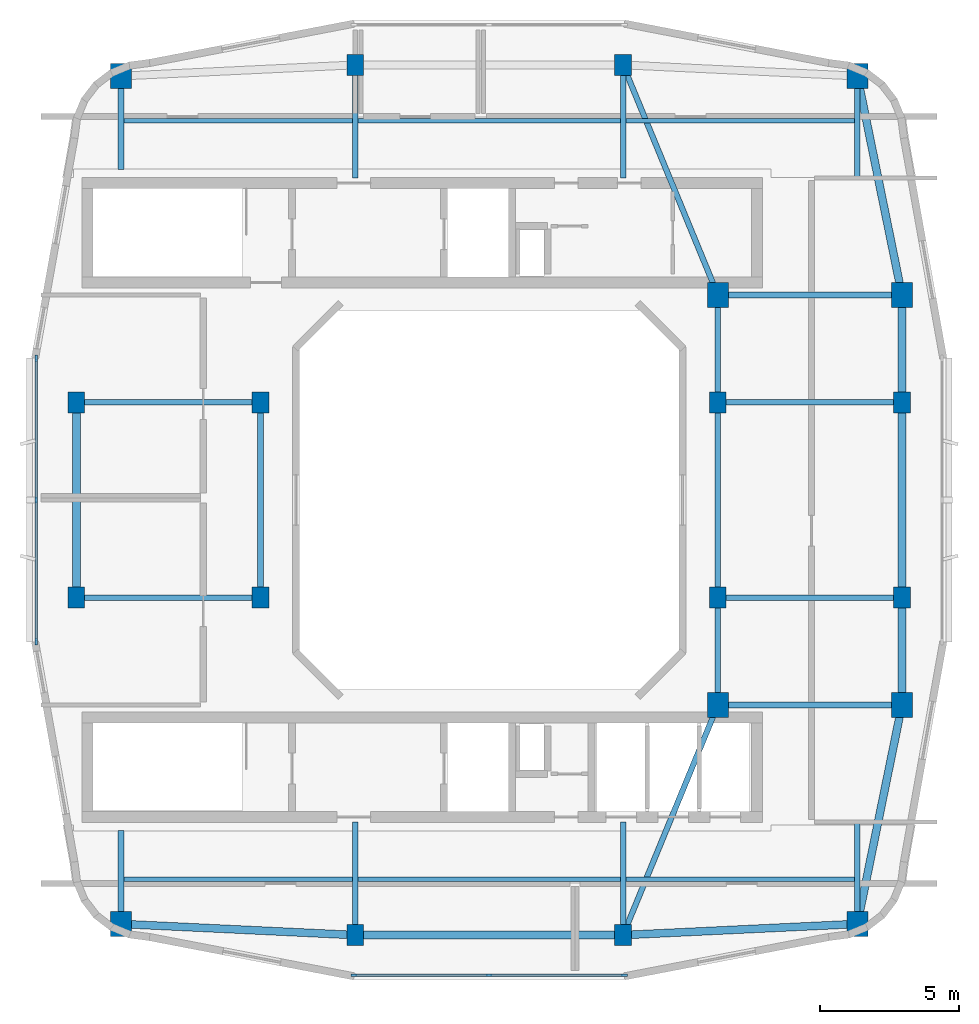
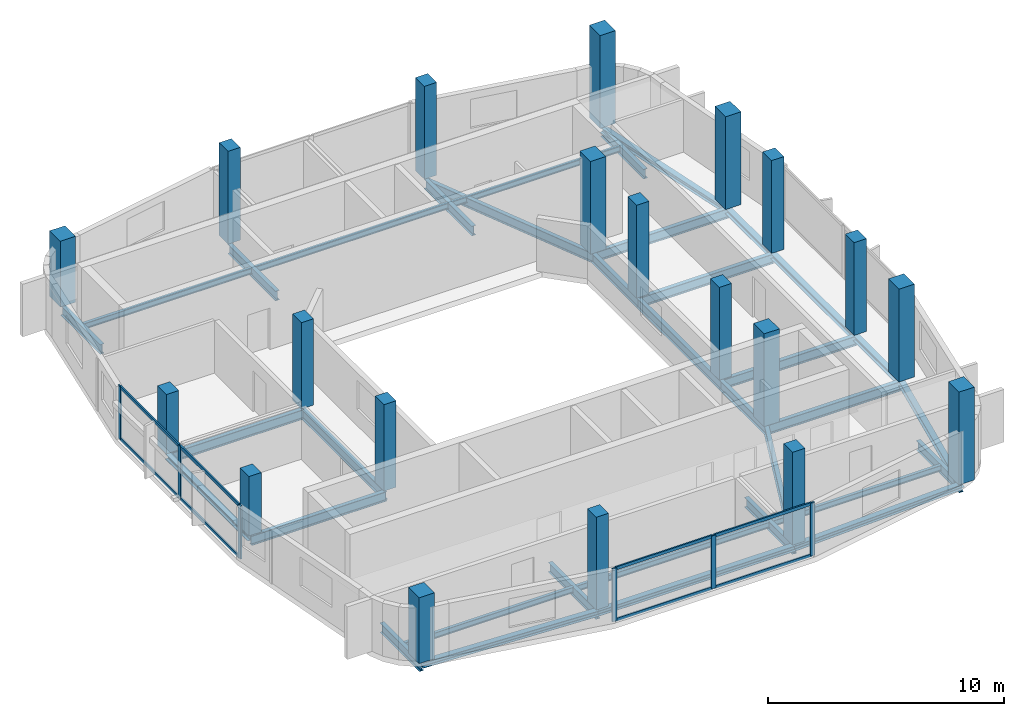
# One storey, part 1 of 6: 35 beams, 20 columns, 14 members, 2 elements without a shape of their own.
"""IFC4 building model written with IfcOpenShell, lengths in metres."""

from ifc_helpers import new_model, si_unit, derived_unit, direction, frame, origin, origin_2d, place, context, subcontext, project, spatial, rectangle, i_section, extrude, material, layer, layer_set, material_profile, profile_set, type_object, element, aggregate, save


model = new_model("IFC4")

# Units and contexts
model_context = context("Model", 3, precision=1e-05, world=origin(), true_north=direction((0.0, 1.0)))
body_context = subcontext(model_context, "Body", "Model", "MODEL_VIEW")
ifc_project = project(units=[si_unit("LENGTHUNIT", "METRE"), si_unit("AREAUNIT", "SQUARE_METRE"), si_unit("VOLUMEUNIT", "CUBIC_METRE"), si_unit("PLANEANGLEUNIT", "RADIAN"), si_unit("MASSUNIT", "GRAM", prefix="KILO"), derived_unit("THERMALTRANSMITTANCEUNIT", [(si_unit("POWERUNIT", "WATT"), 1), (si_unit("LENGTHUNIT", "METRE"), -2), (si_unit("THERMODYNAMICTEMPERATUREUNIT", "KELVIN"), -1)])], contexts=[model_context])

# Site, building, storey
site_placement = place(None, origin())
site = spatial("IfcSite", under=ifc_project, at=site_placement, CompositionType="ELEMENT")
building_placement = place(site_placement, origin())
building = spatial("IfcBuilding", under=site, at=building_placement, Name="Kivonza Crest Hotel", CompositionType="ELEMENT")
storey_placement = place(building_placement, frame((0.0, 0.0, 272.0)))
storey = spatial("IfcBuildingStorey", under=building, at=storey_placement, Name="L74", CompositionType="ELEMENT", Elevation=272.0)

# Columns
ifc_material_1 = material(Name="Concrete C50/60", Category="concrete")
ifc_material_profile_1 = material_profile(ifc_material_1, rectangle(XDim=0.60009765625, YDim=0.75, at=origin_2d()), Name="RC 750x600")
ifc_profile_set_1 = profile_set([ifc_material_profile_1], Name="Concrete C50/60")
column_type_1 = type_object("IfcColumnType", Name="CL-RC-750x600", PredefinedType="COLUMN", material=ifc_profile_set_1)
for number, where, z_axis, x_axis, name in (
    (1, (16.199951171875, 9.39990234375, 0.0), (0.0, 0.0, 1.0), (1.0, 0.0, 0.0), "Tower T1 L74 column S1"),
    (2, (25.800048828125, 9.39990234375, 0.0), (0.0, 0.0, 1.0), (1.0, 0.0, 0.0), "Tower T1 L74 column S2"),
    (3, (16.199951171875, 40.60009765625, 0.0), (0.0, 0.0, 1.0), (1.0, 0.0, 0.0), "Tower T1 L74 column N1"),
    (4, (25.800048828125, 40.60009765625, 0.0), (0.0, 0.0, 1.0), (1.0, 0.0, 0.0), "Tower T1 L74 column N2"),
):
    element("IfcColumn", number, at=place(storey_placement, frame(where, z_axis=z_axis, x_axis=x_axis)), inside=storey, type_object=column_type_1, Name=name, PredefinedType="COLUMN", context=body_context, shape_type="SweptSolid", body=[
        extrude(rectangle(XDim=0.60009765625, YDim=0.75, at=origin_2d()), origin(), (0.0, 0.0, 1.0), 4.800048828125),
    ])
for number, where, z_axis, x_axis, name in (
    (5, (6.199951171875, 21.5, 0.0), (0.0, 0.0, 1.0), (1.0, 0.0, 0.0), "Tower T1 L74 column W1"),
    (6, (6.199951171875, 28.5, 0.0), (0.0, 0.0, 1.0), (1.0, 0.0, 0.0), "Tower T1 L74 column W2"),
):
    element("IfcColumn", number, at=place(storey_placement, frame(where, z_axis=z_axis, x_axis=x_axis)), inside=storey, type_object=column_type_1, Name=name, PredefinedType="COLUMN", context=body_context, shape_type="SweptSolid", body=[
        extrude(rectangle(XDim=0.60009765625, YDim=0.75, at=origin_2d()), origin(), (0.0, 0.0, 1.0), 3.068115234375),
    ])
for number, where, z_axis, x_axis, name in (
    (7, (35.800048828125, 21.5, 0.0), (0.0, 0.0, 1.0), (1.0, 0.0, 0.0), "Tower T1 L74 column E1"),
    (8, (35.800048828125, 28.5, 0.0), (0.0, 0.0, 1.0), (1.0, 0.0, 0.0), "Tower T1 L74 column E2"),
):
    element("IfcColumn", number, at=place(storey_placement, frame(where, z_axis=z_axis, x_axis=x_axis)), inside=storey, type_object=column_type_1, Name=name, PredefinedType="COLUMN", context=body_context, shape_type="SweptSolid", body=[
        extrude(rectangle(XDim=0.60009765625, YDim=0.75, at=origin_2d()), origin(), (0.0, 0.0, 1.0), 4.800048828125),
    ])
for number, where, z_axis, x_axis, name in (
    (9, (12.800048828125, 21.5, 0.0), (0.0, 0.0, 1.0), (1.0, 0.0, 0.0), "Tower T1 L74 column WL1"),
    (10, (12.800048828125, 28.5, 0.0), (0.0, 0.0, 1.0), (1.0, 0.0, 0.0), "Tower T1 L74 column WL2"),
):
    element("IfcColumn", number, at=place(storey_placement, frame(where, z_axis=z_axis, x_axis=x_axis)), inside=storey, type_object=column_type_1, Name=name, PredefinedType="COLUMN", context=body_context, shape_type="SweptSolid", body=[
        extrude(rectangle(XDim=0.60009765625, YDim=0.75, at=origin_2d()), origin(), (0.0, 0.0, 1.0), 4.470947265625),
    ])
for number, where, z_axis, x_axis, name in (
    (11, (29.199951171875, 21.5, 0.0), (0.0, 0.0, 1.0), (1.0, 0.0, 0.0), "Tower T1 L74 column WR1"),
    (12, (29.199951171875, 28.5, 0.0), (0.0, 0.0, 1.0), (1.0, 0.0, 0.0), "Tower T1 L74 column WR2"),
):
    element("IfcColumn", number, at=place(storey_placement, frame(where, z_axis=z_axis, x_axis=x_axis)), inside=storey, type_object=column_type_1, Name=name, PredefinedType="COLUMN", context=body_context, shape_type="SweptSolid", body=[
        extrude(rectangle(XDim=0.60009765625, YDim=0.75, at=origin_2d()), origin(), (0.0, 0.0, 1.0), 4.800048828125),
    ])
ifc_material_profile_2 = material_profile(ifc_material_1, rectangle(XDim=0.75, YDim=0.89990234375, at=origin_2d()), Name="RC 900x750")
ifc_profile_set_2 = profile_set([ifc_material_profile_2], Name="Concrete C50/60")
column_type_2 = type_object("IfcColumnType", Name="CL-RC-900x750", PredefinedType="COLUMN", material=ifc_profile_set_2)
column_1_placement = place(storey_placement, frame((7.800048828125, 9.800048828125, 0.0), z_axis=(0.0, 0.0, 1.0), x_axis=(1.0, 0.0, 0.0)))
element("IfcColumn", 13, at=column_1_placement, inside=storey, type_object=column_type_2, Name="Tower T1 L74 column SW", PredefinedType="COLUMN", context=body_context, shape_type="SweptSolid", body=[
    extrude(rectangle(XDim=0.75, YDim=0.89990234375, at=origin_2d()), origin(), (0.0, 0.0, 1.0), 3.407958984375),
])
for number, where, z_axis, x_axis, name in (
    (14, (34.199951171875, 9.800048828125, 0.0), (0.0, 0.0, 1.0), (1.0, 0.0, 0.0), "Tower T1 L74 column SE"),
    (15, (34.199951171875, 40.199951171875, 0.0), (0.0, 0.0, 1.0), (1.0, 0.0, 0.0), "Tower T1 L74 column NE"),
):
    element("IfcColumn", number, at=place(storey_placement, frame(where, z_axis=z_axis, x_axis=x_axis)), inside=storey, type_object=column_type_2, Name=name, PredefinedType="COLUMN", context=body_context, shape_type="SweptSolid", body=[
        extrude(rectangle(XDim=0.75, YDim=0.89990234375, at=origin_2d()), origin(), (0.0, 0.0, 1.0), 4.800048828125),
    ])
column_2_placement = place(storey_placement, frame((7.800048828125, 40.199951171875, 0.0), z_axis=(0.0, 0.0, 1.0), x_axis=(1.0, 0.0, 0.0)))
element("IfcColumn", 16, at=column_2_placement, inside=storey, type_object=column_type_2, Name="Tower T1 L74 column NW", PredefinedType="COLUMN", context=body_context, shape_type="SweptSolid", body=[
    extrude(rectangle(XDim=0.75, YDim=0.89990234375, at=origin_2d()), origin(), (0.0, 0.0, 1.0), 3.407958984375),
])
for number, where, z_axis, x_axis, name in (
    (17, (35.800048828125, 17.64990234375, 0.0), (0.0, 0.0, 1.0), (1.0, 0.0, 0.0), "Tower T1 L74 column PSE"),
    (18, (35.800048828125, 32.35009765625, 0.0), (0.0, 0.0, 1.0), (1.0, 0.0, 0.0), "Tower T1 L74 column PNE"),
    (19, (29.199951171875, 17.64990234375, 0.0), (0.0, 0.0, 1.0), (1.0, 0.0, 0.0), "Tower T1 L74 column TSE"),
    (20, (29.199951171875, 32.35009765625, 0.0), (0.0, 0.0, 1.0), (1.0, 0.0, 0.0), "Tower T1 L74 column TNE"),
):
    element("IfcColumn", number, at=place(storey_placement, frame(where, z_axis=z_axis, x_axis=x_axis)), inside=storey, type_object=column_type_2, Name=name, PredefinedType="COLUMN", context=body_context, shape_type="SweptSolid", body=[
        extrude(rectangle(XDim=0.75, YDim=0.89990234375, at=origin_2d()), origin(), (0.0, 0.0, 1.0), 4.800048828125),
    ])

# Beams
ifc_material_2 = material(Name="Steel S355", Category="steel")
ifc_material_profile_3 = material_profile(ifc_material_2, i_section(OverallWidth=0.280029296875, OverallDepth=0.280029296875, WebThickness=0.010498046875, FlangeThickness=0.01806640625, FilletRadius=0.02392578125, at=origin_2d()), Name="HEB 280")
ifc_profile_set_3 = profile_set([ifc_material_profile_3], Name="Steel S355")
beam_type_1 = type_object("IfcBeamType", Name="BM-HEB280", PredefinedType="SPANDREL", material=ifc_profile_set_3)
beam_1_placement = place(storey_placement, frame((16.199951171875, 9.39990234375, -0.419921875), z_axis=(1.0, 0.0, 0.0), x_axis=(0.0, 1.0, 0.0)))
element("IfcBeam", 21, at=beam_1_placement, inside=storey, type_object=beam_type_1, Name="Tower T1 L74 perimeter spandrel S1-S2", PredefinedType="SPANDREL", context=body_context, shape_type="SweptSolid", body=[
    extrude(i_section(OverallWidth=0.280029296875, OverallDepth=0.280029296875, WebThickness=0.010498046875, FlangeThickness=0.01806640625, FilletRadius=0.02392578125, at=origin_2d()), origin(), (0.0, 0.0, 1.0), 9.60009765625),
])
beam_2_placement = place(storey_placement, frame((25.800048828125, 9.39990234375, -0.419921875), z_axis=(0.998867283688, 0.047583080799, 0.0), x_axis=(-0.047583080799, 0.998867283688, 0.0)))
element("IfcBeam", 22, at=beam_2_placement, inside=storey, type_object=beam_type_1, Name="Tower T1 L74 perimeter spandrel S2-SE", PredefinedType="SPANDREL", context=body_context, shape_type="SweptSolid", body=[
    extrude(i_section(OverallWidth=0.280029296875, OverallDepth=0.280029296875, WebThickness=0.010498046875, FlangeThickness=0.01806640625, FilletRadius=0.02392578125, at=origin_2d()), origin(), (0.0, 0.0, 1.0), 8.409423828125),
])
beam_3_placement = place(storey_placement, frame((34.199951171875, 9.800048828125, -0.419921875), z_axis=(0.199730733965, 0.979850822273, 0.0), x_axis=(-0.979850822273, 0.199730733965, 0.0)))
element("IfcBeam", 23, at=beam_3_placement, inside=storey, type_object=beam_type_1, Name="Tower T1 L74 perimeter spandrel SE-PSE", PredefinedType="SPANDREL", context=body_context, shape_type="SweptSolid", body=[
    extrude(i_section(OverallWidth=0.280029296875, OverallDepth=0.280029296875, WebThickness=0.010498046875, FlangeThickness=0.01806640625, FilletRadius=0.02392578125, at=origin_2d()), origin(), (0.0, 0.0, 1.0), 8.01123046875),
])
beam_4_placement = place(storey_placement, frame((35.800048828125, 17.64990234375, -0.419921875), z_axis=(0.0, 1.0, 0.0), x_axis=(-1.0, 0.0, 0.0)))
element("IfcBeam", 24, at=beam_4_placement, inside=storey, type_object=beam_type_1, Name="Tower T1 L74 perimeter spandrel PSE-E1", PredefinedType="SPANDREL", context=body_context, shape_type="SweptSolid", body=[
    extrude(i_section(OverallWidth=0.280029296875, OverallDepth=0.280029296875, WebThickness=0.010498046875, FlangeThickness=0.01806640625, FilletRadius=0.02392578125, at=origin_2d()), origin(), (0.0, 0.0, 1.0), 3.85009765625),
])
beam_5_placement = place(storey_placement, frame((35.800048828125, 21.5, -0.419921875), z_axis=(0.0, 1.0, 0.0), x_axis=(-1.0, 0.0, 0.0)))
element("IfcBeam", 25, at=beam_5_placement, inside=storey, type_object=beam_type_1, Name="Tower T1 L74 perimeter spandrel E1-E2", PredefinedType="SPANDREL", context=body_context, shape_type="SweptSolid", body=[
    extrude(i_section(OverallWidth=0.280029296875, OverallDepth=0.280029296875, WebThickness=0.010498046875, FlangeThickness=0.01806640625, FilletRadius=0.02392578125, at=origin_2d()), origin(), (0.0, 0.0, 1.0), 7.0),
])
beam_6_placement = place(storey_placement, frame((35.800048828125, 28.5, -0.419921875), z_axis=(0.0, 1.0, 0.0), x_axis=(-1.0, 0.0, 0.0)))
element("IfcBeam", 26, at=beam_6_placement, inside=storey, type_object=beam_type_1, Name="Tower T1 L74 perimeter spandrel E2-PNE", PredefinedType="SPANDREL", context=body_context, shape_type="SweptSolid", body=[
    extrude(i_section(OverallWidth=0.280029296875, OverallDepth=0.280029296875, WebThickness=0.010498046875, FlangeThickness=0.01806640625, FilletRadius=0.02392578125, at=origin_2d()), origin(), (0.0, 0.0, 1.0), 3.85009765625),
])
beam_7_placement = place(storey_placement, frame((35.800048828125, 32.35009765625, -0.419921875), z_axis=(-0.199730733965, 0.979850822273, 0.0), x_axis=(-0.979850822273, -0.199730733965, 0.0)))
element("IfcBeam", 27, at=beam_7_placement, inside=storey, type_object=beam_type_1, Name="Tower T1 L74 perimeter spandrel PNE-NE", PredefinedType="SPANDREL", context=body_context, shape_type="SweptSolid", body=[
    extrude(i_section(OverallWidth=0.280029296875, OverallDepth=0.280029296875, WebThickness=0.010498046875, FlangeThickness=0.01806640625, FilletRadius=0.02392578125, at=origin_2d()), origin(), (0.0, 0.0, 1.0), 8.01123046875),
])
beam_8_placement = place(storey_placement, frame((6.199951171875, 28.5, -0.419921875), z_axis=(0.0, -1.0, 0.0), x_axis=(1.0, 0.0, 0.0)))
element("IfcBeam", 28, at=beam_8_placement, inside=storey, type_object=beam_type_1, Name="Tower T1 L74 perimeter spandrel W2-W1", PredefinedType="SPANDREL", context=body_context, shape_type="SweptSolid", body=[
    extrude(i_section(OverallWidth=0.280029296875, OverallDepth=0.280029296875, WebThickness=0.010498046875, FlangeThickness=0.01806640625, FilletRadius=0.02392578125, at=origin_2d()), origin(), (0.0, 0.0, 1.0), 7.0),
])
beam_9_placement = place(storey_placement, frame((7.800048828125, 9.800048828125, -0.419921875), z_axis=(0.998867283688, -0.047583080799, 0.0), x_axis=(0.047583080799, 0.998867283688, 0.0)))
element("IfcBeam", 29, at=beam_9_placement, inside=storey, type_object=beam_type_1, Name="Tower T1 L74 perimeter spandrel SW-S1", PredefinedType="SPANDREL", context=body_context, shape_type="SweptSolid", body=[
    extrude(i_section(OverallWidth=0.280029296875, OverallDepth=0.280029296875, WebThickness=0.010498046875, FlangeThickness=0.01806640625, FilletRadius=0.02392578125, at=origin_2d()), origin(), (0.0, 0.0, 1.0), 8.409423828125),
])
ifc_material_profile_4 = material_profile(ifc_material_2, i_section(OverallWidth=0.14990234375, OverallDepth=0.300048828125, WebThickness=0.007080078125, FlangeThickness=0.0107421875, FilletRadius=0.014892578125, at=origin_2d()), Name="IPE 300")
ifc_profile_set_4 = profile_set([ifc_material_profile_4], Name="Steel S355")
beam_type_2 = type_object("IfcBeamType", Name="BM-IPE300", PredefinedType="JOIST", material=ifc_profile_set_4)
beam_10_placement = place(storey_placement, frame((7.8798828125, 11.39990234375, -0.429931640625), z_axis=(1.0, 0.0, 0.0), x_axis=(0.0, 1.0, 0.0)))
element("IfcBeam", 30, at=beam_10_placement, inside=storey, type_object=beam_type_2, Name="Tower T1 L74 South-West floor joist", PredefinedType="JOIST", context=body_context, shape_type="SweptSolid", body=[
    extrude(i_section(OverallWidth=0.14990234375, OverallDepth=0.300048828125, WebThickness=0.007080078125, FlangeThickness=0.0107421875, FilletRadius=0.014892578125, at=origin_2d()), origin(), (0.0, 0.0, 1.0), 8.240234375),
])
beam_11_placement = place(storey_placement, frame((16.280029296875, 11.39990234375, -0.429931640625), z_axis=(1.0, 0.0, 0.0), x_axis=(0.0, 1.0, 0.0)))
element("IfcBeam", 31, at=beam_11_placement, inside=storey, type_object=beam_type_2, Name="Tower T1 L74 South-Mid floor joist", PredefinedType="JOIST", context=body_context, shape_type="SweptSolid", body=[
    extrude(i_section(OverallWidth=0.14990234375, OverallDepth=0.300048828125, WebThickness=0.007080078125, FlangeThickness=0.0107421875, FilletRadius=0.014892578125, at=origin_2d()), origin(), (0.0, 0.0, 1.0), 9.43994140625),
])
for number, where, z_axis, x_axis, name in (
    (32, (25.8798828125, 11.39990234375, -0.429931640625), (1.0, 0.0, 0.0), (0.0, 1.0, 0.0), "Tower T1 L74 South-East floor joist"),
    (33, (7.8798828125, 38.60009765625, -0.429931640625), (1.0, 0.0, 0.0), (0.0, 1.0, 0.0), "Tower T1 L74 North-West floor joist"),
):
    element("IfcBeam", number, at=place(storey_placement, frame(where, z_axis=z_axis, x_axis=x_axis)), inside=storey, type_object=beam_type_2, Name=name, PredefinedType="JOIST", context=body_context, shape_type="SweptSolid", body=[
        extrude(i_section(OverallWidth=0.14990234375, OverallDepth=0.300048828125, WebThickness=0.007080078125, FlangeThickness=0.0107421875, FilletRadius=0.014892578125, at=origin_2d()), origin(), (0.0, 0.0, 1.0), 8.240234375),
    ])
beam_12_placement = place(storey_placement, frame((16.280029296875, 38.60009765625, -0.429931640625), z_axis=(1.0, 0.0, 0.0), x_axis=(0.0, 1.0, 0.0)))
element("IfcBeam", 34, at=beam_12_placement, inside=storey, type_object=beam_type_2, Name="Tower T1 L74 North-Mid floor joist", PredefinedType="JOIST", context=body_context, shape_type="SweptSolid", body=[
    extrude(i_section(OverallWidth=0.14990234375, OverallDepth=0.300048828125, WebThickness=0.007080078125, FlangeThickness=0.0107421875, FilletRadius=0.014892578125, at=origin_2d()), origin(), (0.0, 0.0, 1.0), 9.43994140625),
])
beam_13_placement = place(storey_placement, frame((25.8798828125, 38.60009765625, -0.429931640625), z_axis=(1.0, 0.0, 0.0), x_axis=(0.0, 1.0, 0.0)))
element("IfcBeam", 35, at=beam_13_placement, inside=storey, type_object=beam_type_2, Name="Tower T1 L74 North-East floor joist", PredefinedType="JOIST", context=body_context, shape_type="SweptSolid", body=[
    extrude(i_section(OverallWidth=0.14990234375, OverallDepth=0.300048828125, WebThickness=0.007080078125, FlangeThickness=0.0107421875, FilletRadius=0.014892578125, at=origin_2d()), origin(), (0.0, 0.0, 1.0), 8.240234375),
])
ifc_material_profile_5 = material_profile(ifc_material_2, i_section(OverallWidth=0.199951171875, OverallDepth=0.5, WebThickness=0.01025390625, FlangeThickness=0.01611328125, FilletRadius=0.02099609375, at=origin_2d()), Name="IPE 500")
ifc_profile_set_5 = profile_set([ifc_material_profile_5], Name="Steel S355")
beam_type_3 = type_object("IfcBeamType", Name="BM-IPE500", PredefinedType="BEAM", material=ifc_profile_set_5)
for number, where, z_axis, x_axis, name in (
    (36, (6.199951171875, 21.5, -0.530029296875), (1.0, 0.0, 0.0), (0.0, 1.0, 0.0), "Tower T1 L74 primary girder W1-WL1"),
    (37, (6.199951171875, 28.5, -0.530029296875), (1.0, 0.0, 0.0), (0.0, 1.0, 0.0), "Tower T1 L74 primary girder W2-WL2"),
):
    element("IfcBeam", number, at=place(storey_placement, frame(where, z_axis=z_axis, x_axis=x_axis)), inside=storey, type_object=beam_type_3, Name=name, PredefinedType="BEAM", context=body_context, shape_type="SweptSolid", body=[
        extrude(i_section(OverallWidth=0.199951171875, OverallDepth=0.5, WebThickness=0.01025390625, FlangeThickness=0.01611328125, FilletRadius=0.02099609375, at=origin_2d()), origin(), (0.0, 0.0, 1.0), 6.60009765625),
    ])
beam_14_placement = place(storey_placement, frame((12.800048828125, 21.5, -0.530029296875), z_axis=(0.0, 1.0, 0.0), x_axis=(-1.0, 0.0, 0.0)))
element("IfcBeam", 38, at=beam_14_placement, inside=storey, type_object=beam_type_3, Name="Tower T1 L74 primary girder WL1-WL2", PredefinedType="BEAM", context=body_context, shape_type="SweptSolid", body=[
    extrude(i_section(OverallWidth=0.199951171875, OverallDepth=0.5, WebThickness=0.01025390625, FlangeThickness=0.01611328125, FilletRadius=0.02099609375, at=origin_2d()), origin(), (0.0, 0.0, 1.0), 7.0),
])
for number, where, z_axis, x_axis, name in (
    (39, (25.800048828125, 9.39990234375, -0.530029296875), (0.381022260404, 0.924565864109, 0.0), (-0.924565864109, 0.381022260404, 0.0), "Tower T1 L74 primary girder S1-TSE"),
    (40, (25.800048828125, 40.60009765625, -0.530029296875), (0.381022260404, -0.924565864109, 0.0), (0.924565864109, 0.381022260404, 0.0), "Tower T1 L74 primary girder N1-TNE"),
):
    element("IfcBeam", number, at=place(storey_placement, frame(where, z_axis=z_axis, x_axis=x_axis)), inside=storey, type_object=beam_type_3, Name=name, PredefinedType="BEAM", context=body_context, shape_type="SweptSolid", body=[
        extrude(i_section(OverallWidth=0.199951171875, OverallDepth=0.5, WebThickness=0.01025390625, FlangeThickness=0.01611328125, FilletRadius=0.02099609375, at=origin_2d()), origin(), (0.0, 0.0, 1.0), 8.923095703125),
    ])
for number, where, z_axis, x_axis, name in (
    (41, (29.199951171875, 17.64990234375, -0.530029296875), (1.0, 0.0, 0.0), (0.0, 1.0, 0.0), "Tower T1 L74 primary girder TSE-PSE"),
    (42, (29.199951171875, 32.35009765625, -0.530029296875), (1.0, 0.0, 0.0), (0.0, 1.0, 0.0), "Tower T1 L74 primary girder TNE-PNE"),
):
    element("IfcBeam", number, at=place(storey_placement, frame(where, z_axis=z_axis, x_axis=x_axis)), inside=storey, type_object=beam_type_3, Name=name, PredefinedType="BEAM", context=body_context, shape_type="SweptSolid", body=[
        extrude(i_section(OverallWidth=0.199951171875, OverallDepth=0.5, WebThickness=0.01025390625, FlangeThickness=0.01611328125, FilletRadius=0.02099609375, at=origin_2d()), origin(), (0.0, 0.0, 1.0), 6.60009765625),
    ])
beam_15_placement = place(storey_placement, frame((29.199951171875, 21.5, -0.530029296875), z_axis=(0.0, 1.0, 0.0), x_axis=(-1.0, 0.0, 0.0)))
element("IfcBeam", 43, at=beam_15_placement, inside=storey, type_object=beam_type_3, Name="Tower T1 L74 primary girder WR1-WR2", PredefinedType="BEAM", context=body_context, shape_type="SweptSolid", body=[
    extrude(i_section(OverallWidth=0.199951171875, OverallDepth=0.5, WebThickness=0.01025390625, FlangeThickness=0.01611328125, FilletRadius=0.02099609375, at=origin_2d()), origin(), (0.0, 0.0, 1.0), 7.0),
])
for number, where, z_axis, x_axis, name in (
    (44, (29.199951171875, 17.64990234375, -0.530029296875), (0.0, 1.0, 0.0), (-1.0, 0.0, 0.0), "Tower T1 L74 primary girder TSE-WR1"),
    (45, (29.199951171875, 28.5, -0.530029296875), (0.0, 1.0, 0.0), (-1.0, 0.0, 0.0), "Tower T1 L74 primary girder WR2-TNE"),
):
    element("IfcBeam", number, at=place(storey_placement, frame(where, z_axis=z_axis, x_axis=x_axis)), inside=storey, type_object=beam_type_3, Name=name, PredefinedType="BEAM", context=body_context, shape_type="SweptSolid", body=[
        extrude(i_section(OverallWidth=0.199951171875, OverallDepth=0.5, WebThickness=0.01025390625, FlangeThickness=0.01611328125, FilletRadius=0.02099609375, at=origin_2d()), origin(), (0.0, 0.0, 1.0), 3.85009765625),
    ])
for number, where, z_axis, x_axis, name in (
    (46, (29.199951171875, 21.5, -0.530029296875), (1.0, 0.0, 0.0), (0.0, 1.0, 0.0), "Tower T1 L74 primary girder WR1-E1"),
    (47, (29.199951171875, 28.5, -0.530029296875), (1.0, 0.0, 0.0), (0.0, 1.0, 0.0), "Tower T1 L74 primary girder WR2-E2"),
):
    element("IfcBeam", number, at=place(storey_placement, frame(where, z_axis=z_axis, x_axis=x_axis)), inside=storey, type_object=beam_type_3, Name=name, PredefinedType="BEAM", context=body_context, shape_type="SweptSolid", body=[
        extrude(i_section(OverallWidth=0.199951171875, OverallDepth=0.5, WebThickness=0.01025390625, FlangeThickness=0.01611328125, FilletRadius=0.02099609375, at=origin_2d()), origin(), (0.0, 0.0, 1.0), 6.60009765625),
    ])
beam_16_placement = place(storey_placement, frame((7.800048828125, 9.800048828125, -0.530029296875), z_axis=(0.0, 1.0, 0.0), x_axis=(-1.0, 0.0, 0.0)))
element("IfcBeam", 48, at=beam_16_placement, inside=storey, type_object=beam_type_3, Name="Tower T1 L74 radial core girder RSW", PredefinedType="BEAM", context=body_context, shape_type="SweptSolid", body=[
    extrude(i_section(OverallWidth=0.199951171875, OverallDepth=0.5, WebThickness=0.01025390625, FlangeThickness=0.01611328125, FilletRadius=0.02099609375, at=origin_2d()), origin(), (0.0, 0.0, 1.0), 3.349853515625),
])
for number, where, z_axis, x_axis, name in (
    (49, (16.199951171875, 9.39990234375, -0.530029296875), (0.0, 1.0, 0.0), (-1.0, 0.0, 0.0), "Tower T1 L74 radial core girder RS1"),
    (50, (25.800048828125, 9.39990234375, -0.530029296875), (0.0, 1.0, 0.0), (-1.0, 0.0, 0.0), "Tower T1 L74 radial core girder RS2"),
):
    element("IfcBeam", number, at=place(storey_placement, frame(where, z_axis=z_axis, x_axis=x_axis)), inside=storey, type_object=beam_type_3, Name=name, PredefinedType="BEAM", context=body_context, shape_type="SweptSolid", body=[
        extrude(i_section(OverallWidth=0.199951171875, OverallDepth=0.5, WebThickness=0.01025390625, FlangeThickness=0.01611328125, FilletRadius=0.02099609375, at=origin_2d()), origin(), (0.0, 0.0, 1.0), 4.050048828125),
    ])
beam_17_placement = place(storey_placement, frame((34.199951171875, 9.800048828125, -0.530029296875), z_axis=(0.0, 1.0, 0.0), x_axis=(-1.0, 0.0, 0.0)))
element("IfcBeam", 51, at=beam_17_placement, inside=storey, type_object=beam_type_3, Name="Tower T1 L74 radial core girder RSE", PredefinedType="BEAM", context=body_context, shape_type="SweptSolid", body=[
    extrude(i_section(OverallWidth=0.199951171875, OverallDepth=0.5, WebThickness=0.01025390625, FlangeThickness=0.01611328125, FilletRadius=0.02099609375, at=origin_2d()), origin(), (0.0, 0.0, 1.0), 3.64990234375),
])
beam_18_placement = place(storey_placement, frame((7.800048828125, 40.199951171875, -0.530029296875), z_axis=(0.0, -1.0, 0.0), x_axis=(1.0, 0.0, 0.0)))
element("IfcBeam", 52, at=beam_18_placement, inside=storey, type_object=beam_type_3, Name="Tower T1 L74 radial core girder RNW", PredefinedType="BEAM", context=body_context, shape_type="SweptSolid", body=[
    extrude(i_section(OverallWidth=0.199951171875, OverallDepth=0.5, WebThickness=0.01025390625, FlangeThickness=0.01611328125, FilletRadius=0.02099609375, at=origin_2d()), origin(), (0.0, 0.0, 1.0), 3.349853515625),
])
for number, where, z_axis, x_axis, name in (
    (53, (16.199951171875, 40.60009765625, -0.530029296875), (0.0, -1.0, 0.0), (1.0, 0.0, 0.0), "Tower T1 L74 radial core girder RN1"),
    (54, (25.800048828125, 40.60009765625, -0.530029296875), (0.0, -1.0, 0.0), (1.0, 0.0, 0.0), "Tower T1 L74 radial core girder RN2"),
):
    element("IfcBeam", number, at=place(storey_placement, frame(where, z_axis=z_axis, x_axis=x_axis)), inside=storey, type_object=beam_type_3, Name=name, PredefinedType="BEAM", context=body_context, shape_type="SweptSolid", body=[
        extrude(i_section(OverallWidth=0.199951171875, OverallDepth=0.5, WebThickness=0.01025390625, FlangeThickness=0.01611328125, FilletRadius=0.02099609375, at=origin_2d()), origin(), (0.0, 0.0, 1.0), 4.050048828125),
    ])
beam_19_placement = place(storey_placement, frame((34.199951171875, 40.199951171875, -0.530029296875), z_axis=(0.0, -1.0, 0.0), x_axis=(1.0, 0.0, 0.0)))
element("IfcBeam", 55, at=beam_19_placement, inside=storey, type_object=beam_type_3, Name="Tower T1 L74 radial core girder RNE", PredefinedType="BEAM", context=body_context, shape_type="SweptSolid", body=[
    extrude(i_section(OverallWidth=0.199951171875, OverallDepth=0.5, WebThickness=0.01025390625, FlangeThickness=0.01611328125, FilletRadius=0.02099609375, at=origin_2d()), origin(), (0.0, 0.0, 1.0), 3.64990234375),
])

# Curtain wall, members
ifc_material_3 = material(Name="Anodised bronze aluminium and low-E double glazing", Category="aluminium")
ifc_layer = layer(ifc_material_3, 0.199951171875)
ifc_layer_set = layer_set([ifc_layer], Name="Anodised bronze aluminium and low-E double glazing")
curtain_wall_type = type_object("IfcCurtainWallType", Name="CW-SYS-6", PredefinedType="NOTDEFINED", material=ifc_layer_set)
curtain_wall_1_placement = place(storey_placement, origin())
curtain_wall_1 = element("IfcCurtainWall", 56, at=curtain_wall_1_placement, inside=storey, type_object=curtain_wall_type, Name="L74 unitised curtain wall CW-T1-L74-08", PredefinedType="NOTDEFINED")
ifc_material_4 = material(Name="Anodised bronze aluminium", Category="aluminium")
ifc_material_profile_6 = material_profile(ifc_material_4, rectangle(XDim=0.074951171875, YDim=0.219970703125, at=origin_2d()), Name="CW-M 75x220")
ifc_profile_set_6 = profile_set([ifc_material_profile_6], Name="Anodised bronze aluminium")
member_type_1 = type_object("IfcMemberType", Name="CW-MUL-75x220", PredefinedType="MULLION", material=ifc_profile_set_6)
member_1_placement = place(storey_placement, frame((16.157470703125, 7.9599609375, 0.0), z_axis=(0.0, 0.0, 1.0), x_axis=(0.0, 1.0, 0.0)))
member_1 = element("IfcMember", 57, at=member_1_placement, type_object=member_type_1, Name="CW-6 mullion 1", PredefinedType="MULLION", context=body_context, shape_type="SweptSolid", body=[
    extrude(rectangle(XDim=0.074951171875, YDim=0.219970703125, at=origin_2d()), origin(), (0.0, 0.0, 1.0), 2.739990234375),
])
member_2_placement = place(storey_placement, frame((21.0, 7.9599609375, 0.0), z_axis=(0.0, 0.0, 1.0), x_axis=(0.0, 1.0, 0.0)))
member_2 = element("IfcMember", 58, at=member_2_placement, type_object=member_type_1, Name="CW-6 mullion 2", PredefinedType="MULLION", context=body_context, shape_type="SweptSolid", body=[
    extrude(rectangle(XDim=0.074951171875, YDim=0.219970703125, at=origin_2d()), origin(), (0.0, 0.0, 1.0), 2.739990234375),
])
member_3_placement = place(storey_placement, frame((25.842529296875, 7.9599609375, 0.0), z_axis=(0.0, 0.0, 1.0), x_axis=(0.0, 1.0, 0.0)))
member_3 = element("IfcMember", 59, at=member_3_placement, type_object=member_type_1, Name="CW-6 mullion 3", PredefinedType="MULLION", context=body_context, shape_type="SweptSolid", body=[
    extrude(rectangle(XDim=0.074951171875, YDim=0.219970703125, at=origin_2d()), origin(), (0.0, 0.0, 1.0), 2.739990234375),
])

curtain_wall_2_placement = place(storey_placement, origin())
curtain_wall_2 = element("IfcCurtainWall", 60, at=curtain_wall_2_placement, inside=storey, type_object=curtain_wall_type, Name="L74 unitised curtain wall CW-T1-L74-35", PredefinedType="NOTDEFINED")
member_4_placement = place(storey_placement, frame((4.760009765625, 30.08251953125, 0.0), z_axis=(0.0, 0.0, 1.0), x_axis=(1.0, 0.0, 0.0)))
member_4 = element("IfcMember", 61, at=member_4_placement, type_object=member_type_1, Name="CW-6 mullion 1", PredefinedType="MULLION", context=body_context, shape_type="SweptSolid", body=[
    extrude(rectangle(XDim=0.074951171875, YDim=0.219970703125, at=origin_2d()), origin(), (0.0, 0.0, 1.0), 2.739990234375),
])
member_5_placement = place(storey_placement, frame((4.760009765625, 25.0, 0.0), z_axis=(0.0, 0.0, 1.0), x_axis=(1.0, 0.0, 0.0)))
member_5 = element("IfcMember", 62, at=member_5_placement, type_object=member_type_1, Name="CW-6 mullion 2", PredefinedType="MULLION", context=body_context, shape_type="SweptSolid", body=[
    extrude(rectangle(XDim=0.074951171875, YDim=0.219970703125, at=origin_2d()), origin(), (0.0, 0.0, 1.0), 2.739990234375),
])
member_6_placement = place(storey_placement, frame((4.760009765625, 19.91748046875, 0.0), z_axis=(0.0, 0.0, 1.0), x_axis=(1.0, 0.0, 0.0)))
member_6 = element("IfcMember", 63, at=member_6_placement, type_object=member_type_1, Name="CW-6 mullion 3", PredefinedType="MULLION", context=body_context, shape_type="SweptSolid", body=[
    extrude(rectangle(XDim=0.074951171875, YDim=0.219970703125, at=origin_2d()), origin(), (0.0, 0.0, 1.0), 2.739990234375),
])

# Member
ifc_material_profile_7 = material_profile(ifc_material_4, rectangle(XDim=0.074951171875, YDim=0.159912109375, at=origin_2d()), Name="CW-T 75x160")
ifc_profile_set_7 = profile_set([ifc_material_profile_7], Name="Anodised bronze aluminium")
member_type_2 = type_object("IfcMemberType", Name="CW-TRN-75x160", PredefinedType="USERDEFINED", material=ifc_profile_set_7)
member_7_placement = place(storey_placement, frame((16.195068359375, 7.9599609375, 0.03759765625), z_axis=(1.0, 0.0, 0.0), x_axis=(0.0, 1.0, 0.0)))
member_7 = element("IfcMember", 64, at=member_7_placement, type_object=member_type_2, Name="CW-6 transom 1.1", ObjectType="TRANSOM", PredefinedType="USERDEFINED", context=body_context, shape_type="SweptSolid", body=[
    extrude(rectangle(XDim=0.074951171875, YDim=0.159912109375, at=origin_2d()), origin(), (0.0, 0.0, 1.0), 4.767333984375),
])

member_8_placement = place(storey_placement, frame((16.195068359375, 7.9599609375, 2.702392578125), z_axis=(1.0, 0.0, 0.0), x_axis=(0.0, 1.0, 0.0)))
member_8 = element("IfcMember", 65, at=member_8_placement, type_object=member_type_2, Name="CW-6 transom 1.2", ObjectType="TRANSOM", PredefinedType="USERDEFINED", context=body_context, shape_type="SweptSolid", body=[
    extrude(rectangle(XDim=0.074951171875, YDim=0.159912109375, at=origin_2d()), origin(), (0.0, 0.0, 1.0), 4.767333984375),
])

member_9_placement = place(storey_placement, frame((21.03759765625, 7.9599609375, 0.03759765625), z_axis=(1.0, 0.0, 0.0), x_axis=(0.0, 1.0, 0.0)))
member_9 = element("IfcMember", 66, at=member_9_placement, type_object=member_type_2, Name="CW-6 transom 2.1", ObjectType="TRANSOM", PredefinedType="USERDEFINED", context=body_context, shape_type="SweptSolid", body=[
    extrude(rectangle(XDim=0.074951171875, YDim=0.159912109375, at=origin_2d()), origin(), (0.0, 0.0, 1.0), 4.767333984375),
])

member_10_placement = place(storey_placement, frame((21.03759765625, 7.9599609375, 2.702392578125), z_axis=(1.0, 0.0, 0.0), x_axis=(0.0, 1.0, 0.0)))
member_10 = element("IfcMember", 67, at=member_10_placement, type_object=member_type_2, Name="CW-6 transom 2.2", ObjectType="TRANSOM", PredefinedType="USERDEFINED", context=body_context, shape_type="SweptSolid", body=[
    extrude(rectangle(XDim=0.074951171875, YDim=0.159912109375, at=origin_2d()), origin(), (0.0, 0.0, 1.0), 4.767333984375),
])

aggregate(curtain_wall_1, [member_1, member_2, member_3, member_7, member_8, member_9, member_10])

member_11_placement = place(storey_placement, frame((4.760009765625, 30.044921875, 0.03759765625), z_axis=(0.0, -1.0, 0.0), x_axis=(1.0, 0.0, 0.0)))
member_11 = element("IfcMember", 68, at=member_11_placement, type_object=member_type_2, Name="CW-6 transom 1.1", ObjectType="TRANSOM", PredefinedType="USERDEFINED", context=body_context, shape_type="SweptSolid", body=[
    extrude(rectangle(XDim=0.074951171875, YDim=0.159912109375, at=origin_2d()), origin(), (0.0, 0.0, 1.0), 5.00732421875),
])

member_12_placement = place(storey_placement, frame((4.760009765625, 30.044921875, 2.702392578125), z_axis=(0.0, -1.0, 0.0), x_axis=(1.0, 0.0, 0.0)))
member_12 = element("IfcMember", 69, at=member_12_placement, type_object=member_type_2, Name="CW-6 transom 1.2", ObjectType="TRANSOM", PredefinedType="USERDEFINED", context=body_context, shape_type="SweptSolid", body=[
    extrude(rectangle(XDim=0.074951171875, YDim=0.159912109375, at=origin_2d()), origin(), (0.0, 0.0, 1.0), 5.00732421875),
])

member_13_placement = place(storey_placement, frame((4.760009765625, 24.96240234375, 0.03759765625), z_axis=(0.0, -1.0, 0.0), x_axis=(1.0, 0.0, 0.0)))
member_13 = element("IfcMember", 70, at=member_13_placement, type_object=member_type_2, Name="CW-6 transom 2.1", ObjectType="TRANSOM", PredefinedType="USERDEFINED", context=body_context, shape_type="SweptSolid", body=[
    extrude(rectangle(XDim=0.074951171875, YDim=0.159912109375, at=origin_2d()), origin(), (0.0, 0.0, 1.0), 5.00732421875),
])

member_14_placement = place(storey_placement, frame((4.760009765625, 24.96240234375, 2.702392578125), z_axis=(0.0, -1.0, 0.0), x_axis=(1.0, 0.0, 0.0)))
member_14 = element("IfcMember", 71, at=member_14_placement, type_object=member_type_2, Name="CW-6 transom 2.2", ObjectType="TRANSOM", PredefinedType="USERDEFINED", context=body_context, shape_type="SweptSolid", body=[
    extrude(rectangle(XDim=0.074951171875, YDim=0.159912109375, at=origin_2d()), origin(), (0.0, 0.0, 1.0), 5.00732421875),
])

aggregate(curtain_wall_2, [member_4, member_5, member_6, member_11, member_12, member_13, member_14])

save(model, "model.ifc")
